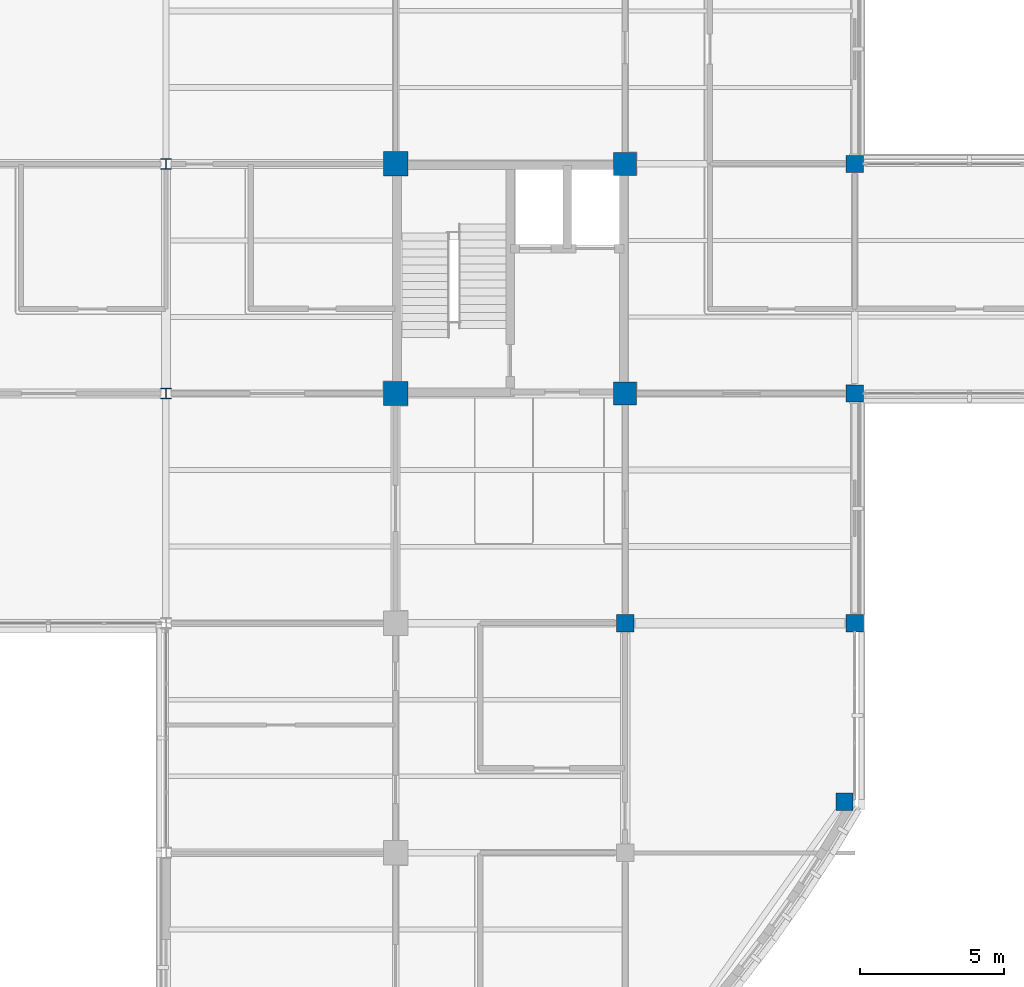
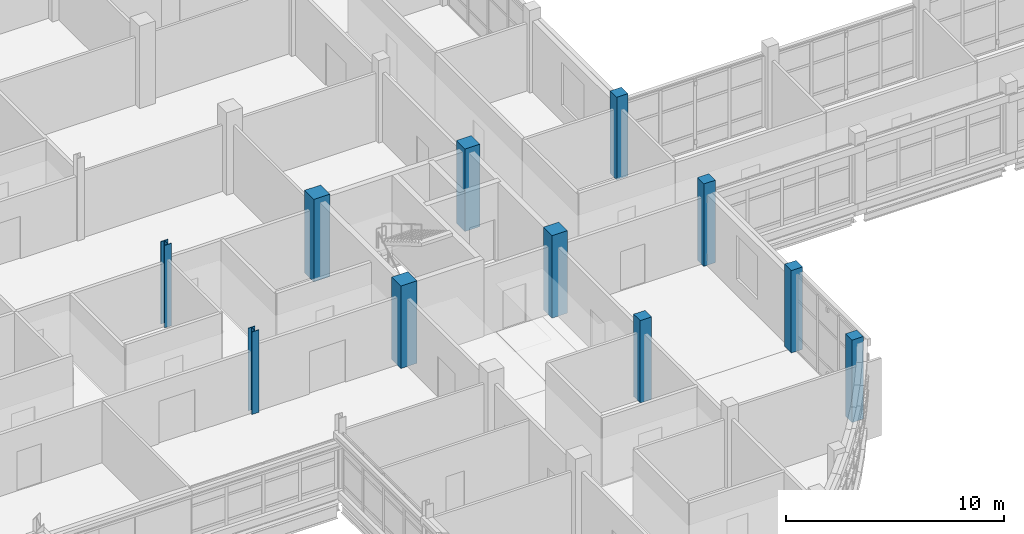
# One storey, part 4 of 121: 11 columns.
"""IFC4 building model written with IfcOpenShell, lengths in metres."""

from ifc_helpers import new_model, si_unit, derived_unit, direction, frame, origin, origin_2d, place, context, subcontext, project, spatial, rectangle, i_section, extrude, material, material_profile, profile_set, type_object, element, save


model = new_model("IFC4")

# Units and contexts
model_context = context("Model", 3, precision=1e-05, world=origin(), true_north=direction((0.0, 1.0)))
body_context = subcontext(model_context, "Body", "Model", "MODEL_VIEW")
ifc_project = project(units=[si_unit("LENGTHUNIT", "METRE"), si_unit("AREAUNIT", "SQUARE_METRE"), si_unit("VOLUMEUNIT", "CUBIC_METRE"), si_unit("PLANEANGLEUNIT", "RADIAN"), si_unit("MASSUNIT", "GRAM", prefix="KILO"), derived_unit("THERMALTRANSMITTANCEUNIT", [(si_unit("MASSUNIT", "GRAM", prefix="KILO"), 1), (si_unit("TIMEUNIT", "SECOND"), -3), (si_unit("THERMODYNAMICTEMPERATUREUNIT", "KELVIN"), -1)])], contexts=[model_context])

# Site, building, storey
site_placement = place(None, origin())
site = spatial("IfcSite", under=ifc_project, at=site_placement, CompositionType="ELEMENT")
building_placement = place(site_placement, origin())
building = spatial("IfcBuilding", under=site, at=building_placement, Name="Veyamyaing Civic Hall", CompositionType="ELEMENT")
storey_placement = place(building_placement, frame((0.0, 0.0, 5.280029296875)))
storey = spatial("IfcBuildingStorey", under=building, at=storey_placement, Name="L01", CompositionType="ELEMENT", Elevation=5.280029296875)

# Columns
ifc_material_1 = material(Name="Concrete C45/55", Category="concrete")
ifc_material_profile_1 = material_profile(ifc_material_1, rectangle(XDim=0.85009765625, YDim=0.85009765625, at=origin_2d()), Name="RC-COL-850X850")
ifc_profile_set_1 = profile_set([ifc_material_profile_1], Name="Concrete C45/55")
column_type_1 = type_object("IfcColumnType", Name="C-01", PredefinedType="COLUMN", material=ifc_profile_set_1)
for number, where, z_axis, x_axis, name in (
    (1, (104.0, 48.0, 0.0), (0.0, 0.0, 1.0), (1.0, 0.0, 0.0), "Column C-01 14-G L01"),
    (2, (104.0, 56.0, 0.0), (0.0, 0.0, 1.0), (1.0, 0.0, 0.0), "Column C-01 14-H L01"),
):
    element("IfcColumn", number, at=place(storey_placement, frame(where, z_axis=z_axis, x_axis=x_axis)), inside=storey, type_object=column_type_1, Name=name, PredefinedType="COLUMN", context=body_context, shape_type="SweptSolid", body=[
        extrude(rectangle(XDim=0.85009765625, YDim=0.85009765625, at=origin_2d()), origin(), (0.0, 0.0, 1.0), 4.619873046875),
    ])
ifc_material_profile_2 = material_profile(ifc_material_1, rectangle(XDim=0.800048828125, YDim=0.800048828125, at=origin_2d()), Name="RC-COL-800X800")
ifc_profile_set_2 = profile_set([ifc_material_profile_2], Name="Concrete C45/55")
column_type_2 = type_object("IfcColumnType", Name="C-02", PredefinedType="COLUMN", material=ifc_profile_set_2)
for number, where, z_axis, x_axis, name in (
    (3, (112.0, 48.0, 0.0), (0.0, 0.0, 1.0), (1.0, 0.0, 0.0), "Column C-02 15-G L01"),
    (4, (112.0, 56.0, 0.0), (0.0, 0.0, 1.0), (1.0, 0.0, 0.0), "Column C-02 15-H L01"),
):
    element("IfcColumn", number, at=place(storey_placement, frame(where, z_axis=z_axis, x_axis=x_axis)), inside=storey, type_object=column_type_2, Name=name, PredefinedType="COLUMN", context=body_context, shape_type="SweptSolid", body=[
        extrude(rectangle(XDim=0.800048828125, YDim=0.800048828125, at=origin_2d()), origin(), (0.0, 0.0, 1.0), 4.619873046875),
    ])
ifc_material_profile_3 = material_profile(ifc_material_1, rectangle(XDim=0.60009765625, YDim=0.60009765625, at=origin_2d()), Name="RC-COL-600X600")
ifc_profile_set_3 = profile_set([ifc_material_profile_3], Name="Concrete C45/55")
column_type_3 = type_object("IfcColumnType", Name="C-06", PredefinedType="COLUMN", material=ifc_profile_set_3)
for number, where, z_axis, x_axis, name in (
    (5, (112.0, 40.0, 0.0), (0.0, 0.0, 1.0), (1.0, 0.0, 0.0), "Column C-06 15-F L01"),
    (6, (120.0, 40.0, 0.0), (0.0, 0.0, 1.0), (1.0, 0.0, 0.0), "Column C-06 16-F L01"),
    (7, (120.0, 48.0, 0.0), (0.0, 0.0, 1.0), (1.0, 0.0, 0.0), "Column C-06 16-G L01"),
    (8, (120.0, 56.0, 0.0), (0.0, 0.0, 1.0), (1.0, 0.0, 0.0), "Column C-06 16-H L01"),
    (9, (119.63623046875, 33.779296875, 0.0), (0.0, 0.0, 1.0), (1.0, 0.0, 0.0), "Curved corner column C-06 ARC-SE-14 L01"),
):
    element("IfcColumn", number, at=place(storey_placement, frame(where, z_axis=z_axis, x_axis=x_axis)), inside=storey, type_object=column_type_3, Name=name, PredefinedType="COLUMN", context=body_context, shape_type="SweptSolid", body=[
        extrude(rectangle(XDim=0.60009765625, YDim=0.60009765625, at=origin_2d()), origin(), (0.0, 0.0, 1.0), 4.619873046875),
    ])
ifc_material_2 = material(Name="Steel S355J2", Category="steel")
ifc_material_profile_4 = material_profile(ifc_material_2, i_section(OverallWidth=0.3740234375, OverallDepth=0.3720703125, WebThickness=0.016357421875, FlangeThickness=0.026123046875, FilletRadius=0.014892578125, at=origin_2d()), Name="W360X196")
ifc_profile_set_4 = profile_set([ifc_material_profile_4], Name="Steel S355J2")
column_type_4 = type_object("IfcColumnType", Name="C-09", PredefinedType="COLUMN", material=ifc_profile_set_4)
for number, where, z_axis, x_axis, name in (
    (10, (96.0, 48.0, 0.0), (0.0, 0.0, 1.0), (1.0, 0.0, 0.0), "Column C-09 13-G L01"),
    (11, (96.0, 56.0, 0.0), (0.0, 0.0, 1.0), (1.0, 0.0, 0.0), "Column C-09 13-H L01"),
):
    element("IfcColumn", number, at=place(storey_placement, frame(where, z_axis=z_axis, x_axis=x_axis)), inside=storey, type_object=column_type_4, Name=name, PredefinedType="COLUMN", context=body_context, shape_type="SweptSolid", body=[
        extrude(i_section(OverallWidth=0.3740234375, OverallDepth=0.3720703125, WebThickness=0.016357421875, FlangeThickness=0.026123046875, FilletRadius=0.014892578125, at=origin_2d()), origin(), (0.0, 0.0, 1.0), 4.619873046875),
    ])

save(model, "model.ifc")
